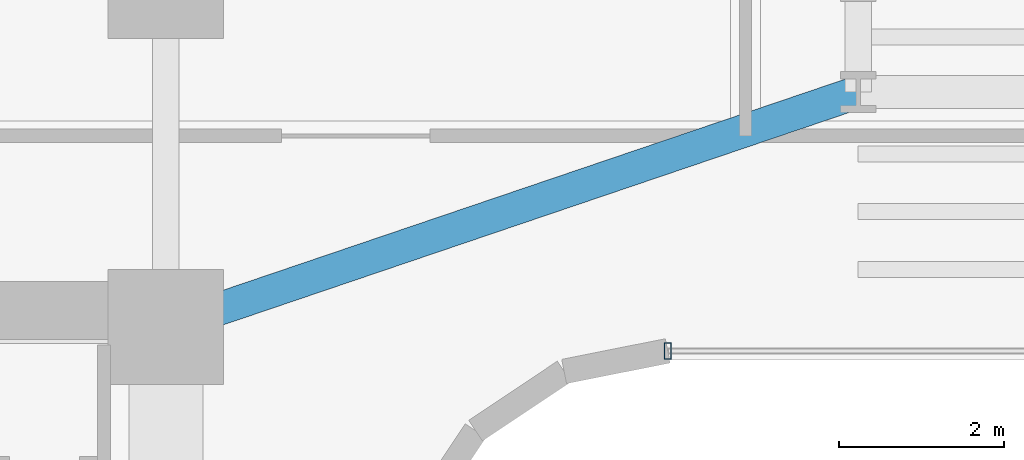
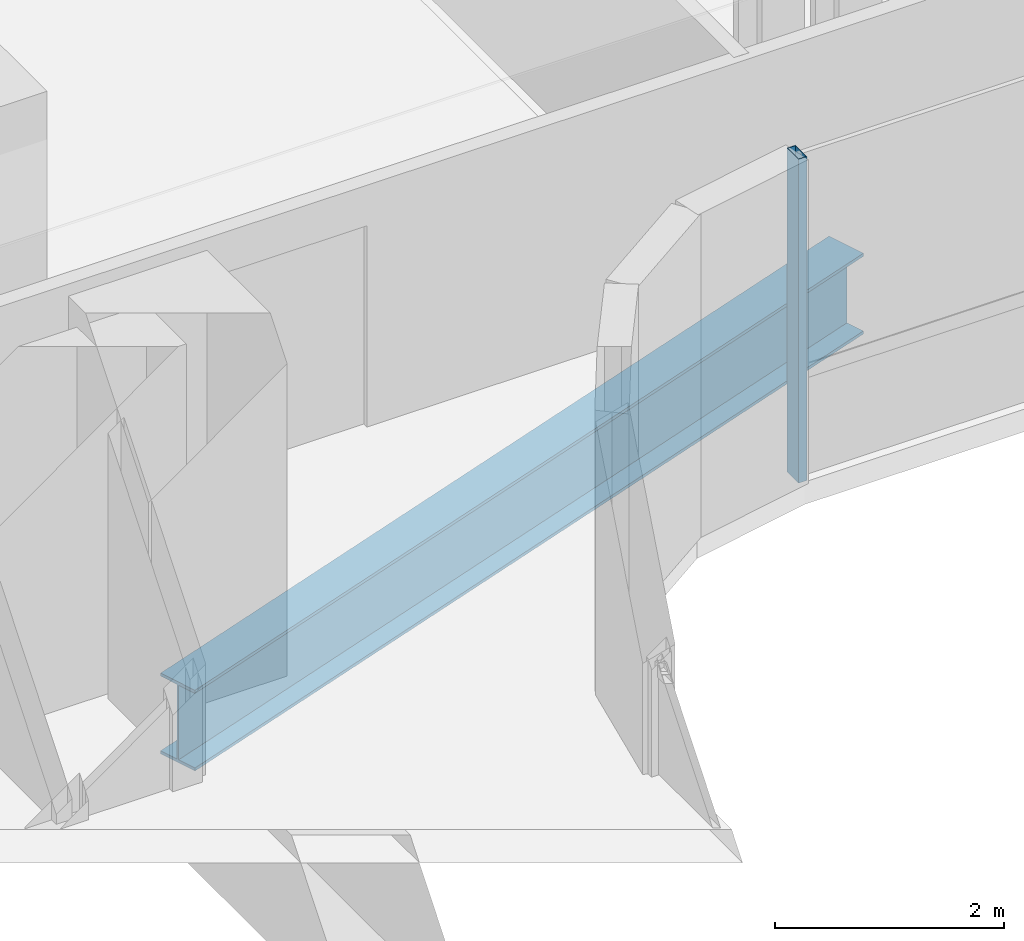
# One storey, part 11 of 39: 1 beam, 1 member, 1 element without a shape of its own.
"""IFC4 building model written with IfcOpenShell, lengths in metres."""

from ifc_helpers import new_model, si_unit, direction, frame, origin, origin_2d, place, context, subcontext, project, spatial, hollow_rectangle, i_section, extrude, source, transform, mapped, material, material_profile, profile_set, type_object, element, aggregate, save


model = new_model("IFC4")

# Units and contexts
model_context = context("Model", 3, precision=1e-05, world=origin(), true_north=direction((0.0, 1.0)))
body_context = subcontext(model_context, "Body", "Model", "MODEL_VIEW")
ifc_project = project(units=[si_unit("LENGTHUNIT", "METRE"), si_unit("AREAUNIT", "SQUARE_METRE"), si_unit("VOLUMEUNIT", "CUBIC_METRE"), si_unit("PLANEANGLEUNIT", "RADIAN"), si_unit("MASSUNIT", "GRAM", prefix="KILO")], contexts=[model_context])

# Site, building, storey
site_placement = place(None, origin())
site = spatial("IfcSite", under=ifc_project, at=site_placement, CompositionType="ELEMENT")
building_placement = place(site_placement, origin())
building = spatial("IfcBuilding", under=site, at=building_placement, Name="Valdorenza Pilgrim Sanctuary Tower", CompositionType="ELEMENT")
storey_placement = place(building_placement, frame((0.0, 0.0, 77.800048828125)))
storey = spatial("IfcBuildingStorey", under=building, at=storey_placement, Name="L19", CompositionType="ELEMENT", Elevation=77.800048828125)

# Beam
ifc_material_1 = material(Name="Steel ASTM A992 Grade 50", Category="steel")
ifc_material_profile_1 = material_profile(ifc_material_1, i_section(OverallWidth=0.39990234375, OverallDepth=0.862060546875, WebThickness=0.019775390625, FlangeThickness=0.032470703125, at=origin_2d()), Name="W33X221")
ifc_profile_set_1 = profile_set([ifc_material_profile_1], Name="Steel ASTM A992 Grade 50")
beam_type = type_object("IfcBeamType", Name="STR-BM-GRD-W33", PredefinedType="BEAM", material=ifc_profile_set_1)
shared_shape_1 = source(origin(), body_context, "Body", "SweptSolid", [
    extrude(i_section(OverallWidth=0.39990234375, OverallDepth=0.862060546875, WebThickness=0.019775390625, FlangeThickness=0.032470703125, at=origin_2d()), origin(), (0.0, 0.0, 1.0), 8.8701171875),
])
beam_placement = place(storey_placement, frame((-12.39990234375, 10.60009765625, -0.671142578125), z_axis=(0.946982588361, 0.321284885018, 0.0), x_axis=(-0.321284885018, 0.946982588361, 0.0)))
element("IfcBeam", 1, at=beam_placement, inside=storey, type_object=beam_type, Name="L19 Floor Girder KNK-G1", PredefinedType="BEAM", context=body_context, shape_type="MappedRepresentation", body=[
    mapped(shared_shape_1, transform((0.0, 0.0, 0.0), x_axis=(1.0, 0.0, 0.0), y_axis=(0.0, 1.0, 0.0), z_axis=(0.0, 0.0, 1.0), scale=1.0)),
])

# Curtain wall, member
ifc_material_2 = material(Name="Curtain-wall IGU glazing", Category="glass")
curtain_wall_type = type_object("IfcCurtainWallType", Name="CW-SYS-02", PredefinedType="NOTDEFINED", material=ifc_material_2)
curtain_wall_placement = place(storey_placement, origin())
curtain_wall = element("IfcCurtainWall", 2, at=curtain_wall_placement, inside=storey, type_object=curtain_wall_type, Name="L19 Curtain Wall CW-L19-1-36", PredefinedType="NOTDEFINED")
ifc_material_3 = material(Name="Anodised aluminium AW-6060", Category="aluminium")
ifc_material_profile_2 = material_profile(ifc_material_3, hollow_rectangle(XDim=0.0849609375, YDim=0.199951171875, WallThickness=0.0048828125, at=origin_2d()), Name="ALU-M 200x85x5")
ifc_profile_set_2 = profile_set([ifc_material_profile_2], Name="Anodised aluminium AW-6060")
member_type = type_object("IfcMemberType", Name="CW-MUL-02", PredefinedType="MULLION", material=ifc_profile_set_2)
shared_shape_2 = source(origin(), body_context, "Body", "SweptSolid", [
    extrude(hollow_rectangle(XDim=0.0849609375, YDim=0.199951171875, WallThickness=0.0048828125, at=origin_2d()), origin(), (0.0, 0.0, 1.0), 3.4599609375),
])
member_placement = place(storey_placement, frame((-6.310791015625, 10.31005859375, 0.0), z_axis=(0.0, 0.0, 1.0), x_axis=(-1.0, 0.0, 0.0)))
member = element("IfcMember", 3, at=member_placement, type_object=member_type, Name="CW-L19-1-36 Mullion 4", PredefinedType="MULLION", context=body_context, shape_type="MappedRepresentation", body=[
    mapped(shared_shape_2, transform((0.0, 0.0, 0.0), x_axis=(1.0, 0.0, 0.0), y_axis=(0.0, 1.0, 0.0), z_axis=(0.0, 0.0, 1.0), scale=1.0)),
])
aggregate(curtain_wall, [member])

save(model, "model.ifc")
